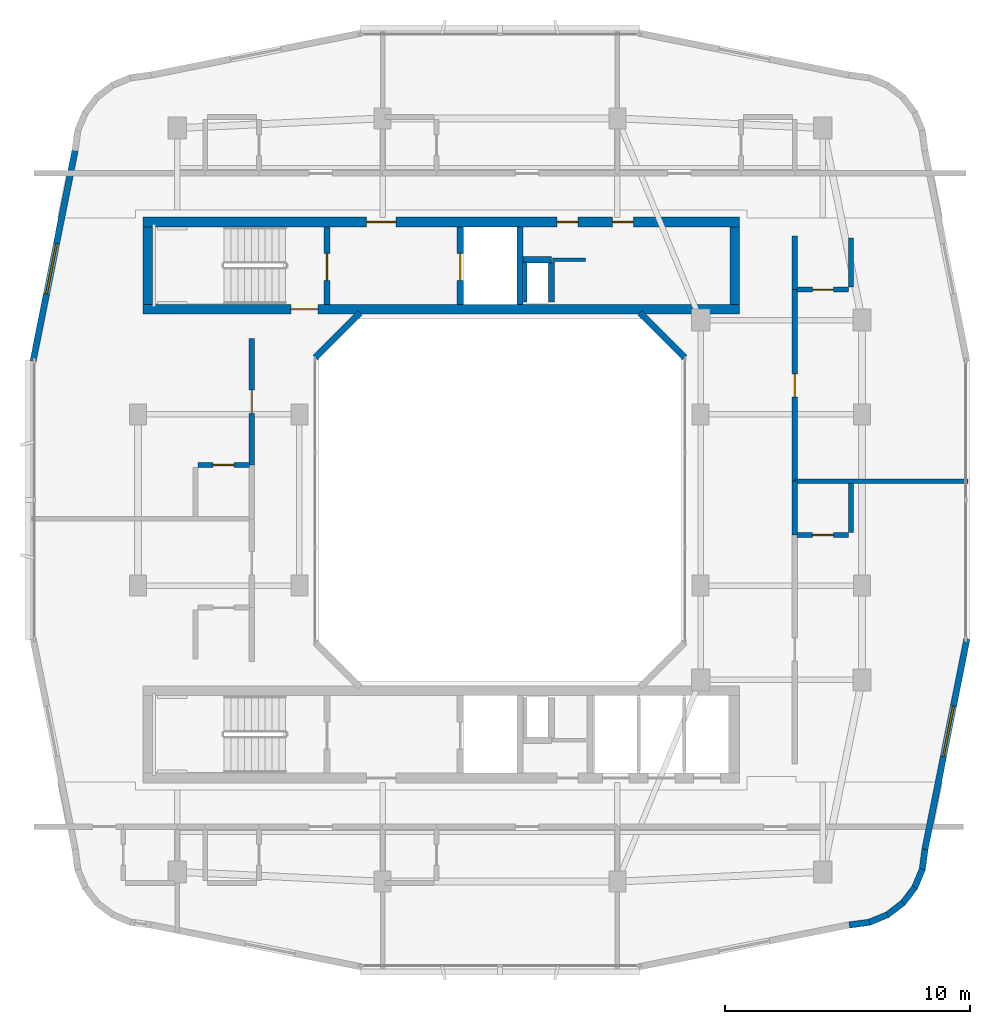
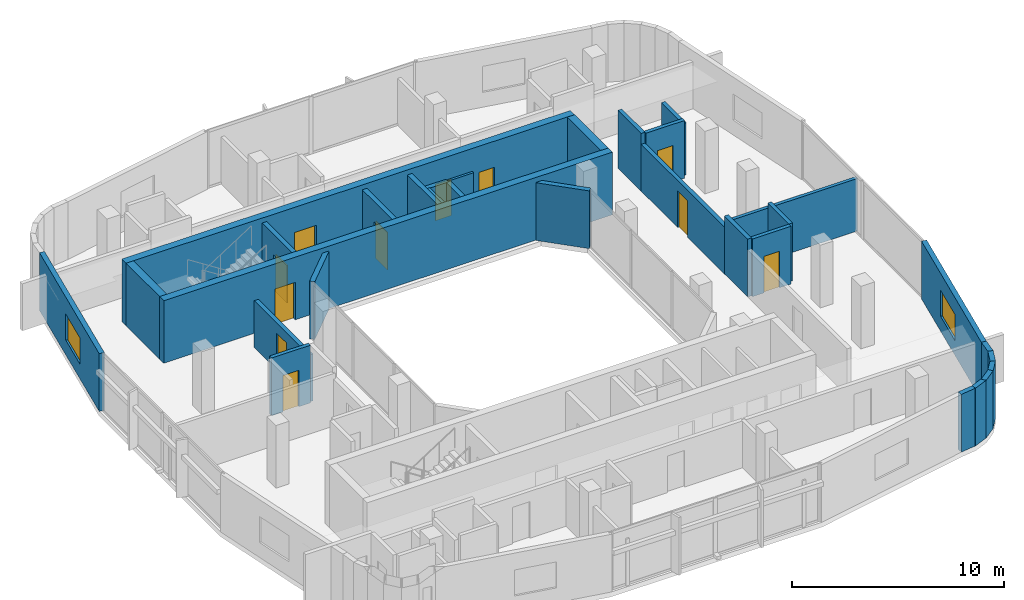
# One storey, part 8 of 14: 31 walls, 11 doors, 2 windows, 13 openings.
"""IFC4 building model written with IfcOpenShell, lengths in metres."""

from ifc_helpers import new_model, si_unit, derived_unit, direction, frame, frame_2d, origin, place, context, subcontext, project, spatial, rectangle, extrude, material, layer, layer_set, type_object, element, fill, save


model = new_model("IFC4")

# Units and contexts
model_context = context("Model", 3, precision=1e-05, world=origin(), true_north=direction((0.0, 1.0)))
body_context = subcontext(model_context, "Body", "Model", "MODEL_VIEW")
ifc_project = project(units=[si_unit("LENGTHUNIT", "METRE"), si_unit("AREAUNIT", "SQUARE_METRE"), si_unit("VOLUMEUNIT", "CUBIC_METRE"), si_unit("PLANEANGLEUNIT", "RADIAN"), si_unit("MASSUNIT", "GRAM", prefix="KILO"), derived_unit("THERMALTRANSMITTANCEUNIT", [(si_unit("POWERUNIT", "WATT"), 1), (si_unit("LENGTHUNIT", "METRE"), -2), (si_unit("THERMODYNAMICTEMPERATUREUNIT", "KELVIN"), -1)])], contexts=[model_context])

# Site, building, storey
site_placement = place(None, origin())
site = spatial("IfcSite", under=ifc_project, at=site_placement, CompositionType="ELEMENT")
building_placement = place(site_placement, origin())
building = spatial("IfcBuilding", under=site, at=building_placement, Name="Kivonza Crest Hotel", CompositionType="ELEMENT")
storey_placement = place(building_placement, frame((0.0, 0.0, 217.10009765625)))
storey = spatial("IfcBuildingStorey", under=building, at=storey_placement, Name="L59", CompositionType="ELEMENT", Elevation=217.10009765625)

# Wall
ifc_material_1 = material(Name="High-density acoustic masonry inter-tenancy wall", Category="masonry")
ifc_layer_1 = layer(ifc_material_1, 0.179931640625)
ifc_layer_set_1 = layer_set([ifc_layer_1], Name="High-density acoustic masonry inter-tenancy wall")
wall_type_1 = type_object("IfcWallType", Name="WL-ACOU-180", PredefinedType="SOLIDWALL", material=ifc_layer_set_1)
wall_1_placement = place(storey_placement, frame((33.050048828125, 25.77001953125, 0.0), z_axis=(0.0, 0.0, 1.0), x_axis=(1.0, 0.0, 0.0)))
element("IfcWall", 1, at=wall_1_placement, inside=storey, type_object=wall_type_1, Name="L59 interior partition WA-L59-T1E-DIV1", PredefinedType="SOLIDWALL", context=body_context, shape_type="SweptSolid", body=[
    extrude(rectangle(XDim=7.08984375, YDim=0.179931640625, at=frame_2d((3.544921875, 0.0))), origin(), (0.0, 0.0, 1.0), 3.014892578125),
])

# Wall, opening, door
ifc_material_2 = material(Name="Autoclaved aerated concrete blockwork", Category="masonry")
ifc_layer_2 = layer(ifc_material_2, 0.219970703125)
ifc_layer_set_2 = layer_set([ifc_layer_2], Name="Autoclaved aerated concrete blockwork")
wall_type_2 = type_object("IfcWallType", Name="WL-ACOU-220", PredefinedType="SOLIDWALL", material=ifc_layer_set_2)
wall_2_placement = place(storey_placement, frame((10.85009765625, 26.429931640625, 0.0), z_axis=(0.0, 0.0, 1.0), x_axis=(0.0, 1.0, 0.0)))
wall_2 = element("IfcWall", 2, at=wall_2_placement, inside=storey, type_object=wall_type_2, Name="L59 interior partition WA-L59-W08-MCORR", PredefinedType="SOLIDWALL", context=body_context, shape_type="SweptSolid", body=[
    extrude(rectangle(XDim=5.170166015625, YDim=0.219970703125, at=frame_2d((2.5849609375, 0.0))), origin(), (0.0, 0.0, 1.0), 2.69482421875),
])
opening_1_placement = place(wall_2_placement, frame((2.110107421875, 0.0, 0.0)))
opening_1 = element("IfcOpeningElement", 3, at=opening_1_placement, cuts=wall_2, Name="Opening DU-60", PredefinedType="OPENING", context=body_context, shape_type="SweptSolid", body=[
    extrude(rectangle(XDim=0.949951171875, YDim=2.10009765625, at=frame_2d((0.47509765625, 1.050048828125))), frame((0.0, 0.1201171875, 0.0), z_axis=(0.0, -1.0, 0.0), x_axis=(1.0, 0.0, 0.0)), (0.0, 0.0, 1.0), 0.239990234375),
])
ifc_material_3 = material(Name="Hardwood timber oak", Category="wood")
door_type_1 = type_object("IfcDoorType", Name="DR-UNIT-950", OperationType="NOTDEFINED", PredefinedType="DOOR", material=ifc_material_3)
door_1_placement = place(opening_1_placement, origin())
door_1 = element("IfcDoor", 4, at=door_1_placement, inside=storey, type_object=door_type_1, Name="L59 W08 guest unit entrance fire door", OperationType="SINGLE_SWING_RIGHT", OverallHeight=2.10009765625, OverallWidth=0.949951171875, PredefinedType="DOOR", context=body_context, shape_type="SweptSolid", body=[
    extrude(rectangle(XDim=0.949951171875, YDim=2.10009765625, at=frame_2d((0.47509765625, 1.050048828125))), frame((0.0, 0.02490234375, 0.0), z_axis=(0.0, -1.0, 0.0), x_axis=(1.0, 0.0, 0.0)), (0.0, 0.0, 1.0), 0.050048828125),
])
fill(opening_1, door_1)

# Walls
for number, where, z_axis, x_axis, name in (
    (5, (33.050048828125, 23.570068359375, 0.0), (0.0, 0.0, 1.0), (0.0, 1.0, 0.0), "L59 interior partition WA-L59-E09-BCORR"),
    (6, (33.050048828125, 33.60009765625, 0.0), (0.0, 0.0, 1.0), (0.0, 1.0, 0.0), "L59 interior partition WA-L59-E10-BCORR"),
):
    element("IfcWall", number, at=place(storey_placement, frame(where, z_axis=z_axis, x_axis=x_axis)), inside=storey, type_object=wall_type_2, Name=name, PredefinedType="SOLIDWALL", context=body_context, shape_type="SweptSolid", body=[
        extrude(rectangle(XDim=2.199951171875, YDim=0.219970703125, at=frame_2d((1.10009765625, 0.0))), origin(), (0.0, 0.0, 1.0), 3.31982421875),
    ])

# Wall, opening, door
wall_3_placement = place(storey_placement, frame((33.050048828125, 25.77001953125, 0.0), z_axis=(0.0, 0.0, 1.0), x_axis=(0.0, 1.0, 0.0)))
wall_3 = element("IfcWall", 7, at=wall_3_placement, inside=storey, type_object=wall_type_2, Name="L59 interior partition WA-L59-E10-MCORR", PredefinedType="SOLIDWALL", context=body_context, shape_type="SweptSolid", body=[
    extrude(rectangle(XDim=7.830078125, YDim=0.219970703125, at=frame_2d((3.9150390625, 0.0))), origin(), (0.0, 0.0, 1.0), 2.69482421875),
])
opening_2_placement = place(wall_3_placement, frame((3.43994140625, 0.0, 0.0)))
opening_2 = element("IfcOpeningElement", 8, at=opening_2_placement, cuts=wall_3, Name="Opening DU-60", PredefinedType="OPENING", context=body_context, shape_type="SweptSolid", body=[
    extrude(rectangle(XDim=0.949951171875, YDim=2.10009765625, at=frame_2d((0.47509765625, 1.050048828125))), frame((0.0, 0.1201171875, 0.0), z_axis=(0.0, -1.0, 0.0), x_axis=(1.0, 0.0, 0.0)), (0.0, 0.0, 1.0), 0.239990234375),
])
door_2_placement = place(opening_2_placement, frame((0.949951171875, 0.0, 0.0), z_axis=(0.0, 0.0, 1.0), x_axis=(-1.0, 0.0, 0.0)))
door_2 = element("IfcDoor", 9, at=door_2_placement, inside=storey, type_object=door_type_1, Name="L59 E10 guest unit entrance fire door", OperationType="SINGLE_SWING_RIGHT", OverallHeight=2.10009765625, OverallWidth=0.949951171875, PredefinedType="DOOR", context=body_context, shape_type="SweptSolid", body=[
    extrude(rectangle(XDim=0.949951171875, YDim=2.10009765625, at=frame_2d((0.47509765625, 1.050048828125))), frame((0.0, 0.02490234375, 0.0), z_axis=(0.0, -1.0, 0.0), x_axis=(1.0, 0.0, 0.0)), (0.0, 0.0, 1.0), 0.050048828125),
])
fill(opening_2, door_2)

ifc_material_4 = material(Name="Concrete C50/60", Category="concrete")
ifc_layer_3 = layer(ifc_material_4, 0.39990234375)
ifc_layer_set_3 = layer_set([ifc_layer_3], Name="Concrete C50/60")
wall_type_3 = type_object("IfcWallType", Name="WL-CORE-400", PredefinedType="SHEAR", material=ifc_layer_set_3)
wall_4_placement = place(storey_placement, frame((6.39990234375, 32.800048828125, 0.0), z_axis=(0.0, 0.0, 1.0), x_axis=(1.0, 0.0, 0.0)))
wall_4 = element("IfcWall", 10, at=wall_4_placement, inside=storey, type_object=wall_type_3, Name="Core wall T1-N South L59", PredefinedType="SHEAR", context=body_context, shape_type="SweptSolid", body=[
    extrude(rectangle(XDim=24.400146484375, YDim=0.39990234375, at=frame_2d((12.2001953125, 0.0))), origin(), (0.0, 0.0, 1.0), 3.599853515625),
])
opening_3_placement = place(wall_4_placement, frame((6.050048828125, 0.0, 0.0)))
opening_3 = element("IfcOpeningElement", 11, at=opening_3_placement, cuts=wall_4, Name="Opening DF-120", PredefinedType="OPENING", context=body_context, shape_type="SweptSolid", body=[
    extrude(rectangle(XDim=1.10009765625, YDim=2.14990234375, at=frame_2d((0.550048828125, 1.074951171875))), frame((0.0, 0.2099609375, 0.0), z_axis=(0.0, -1.0, 0.0), x_axis=(1.0, 0.0, 0.0)), (0.0, 0.0, 1.0), 0.419921875),
])
ifc_material_5 = material(Name="Galvanised steel", Category="steel")
door_type_2 = type_object("IfcDoorType", Name="DR-FD120-1100", OperationType="NOTDEFINED", PredefinedType="DOOR", material=ifc_material_5)
door_3_placement = place(opening_3_placement, origin())
door_3 = element("IfcDoor", 12, at=door_3_placement, inside=storey, type_object=door_type_2, Name="L59 West corridor stair access fire door", OperationType="SINGLE_SWING_LEFT", OverallHeight=2.14990234375, OverallWidth=1.10009765625, PredefinedType="DOOR", context=body_context, shape_type="SweptSolid", body=[
    extrude(rectangle(XDim=1.10009765625, YDim=2.14990234375, at=frame_2d((0.550048828125, 1.074951171875))), frame((0.0, 0.02490234375, 0.0), z_axis=(0.0, -1.0, 0.0), x_axis=(1.0, 0.0, 0.0)), (0.0, 0.0, 1.0), 0.050048828125),
])
fill(opening_3, door_3)

# Wall, openings, doors
wall_5_placement = place(storey_placement, frame((6.39990234375, 36.360107421875, 0.0), z_axis=(0.0, 0.0, 1.0), x_axis=(1.0, 0.0, 0.0)))
wall_5 = element("IfcWall", 13, at=wall_5_placement, inside=storey, type_object=wall_type_3, Name="Core wall T1-N North L59", PredefinedType="SHEAR", context=body_context, shape_type="SweptSolid", body=[
    extrude(rectangle(XDim=24.400146484375, YDim=0.39990234375, at=frame_2d((12.2001953125, 0.0))), origin(), (0.0, 0.0, 1.0), 3.599853515625),
])
opening_4_placement = place(wall_5_placement, frame((9.14990234375, 0.0, 0.0)))
opening_4 = element("IfcOpeningElement", 14, at=opening_4_placement, cuts=wall_5, Name="Opening DF-60", PredefinedType="OPENING", context=body_context, shape_type="SweptSolid", body=[
    extrude(rectangle(XDim=1.199951171875, YDim=2.14990234375, at=frame_2d((0.60009765625, 1.074951171875))), frame((0.0, 0.2099609375, 0.0), z_axis=(0.0, -1.0, 0.0), x_axis=(1.0, 0.0, 0.0)), (0.0, 0.0, 1.0), 0.419921875),
])
opening_5_placement = place(wall_5_placement, frame((19.199951171875, 0.0, 0.0)))
opening_5 = element("IfcOpeningElement", 15, at=opening_5_placement, cuts=wall_5, Name="Opening DF-60R", PredefinedType="OPENING", context=body_context, shape_type="SweptSolid", body=[
    extrude(rectangle(XDim=0.85009765625, YDim=2.10009765625, at=frame_2d((0.425048828125, 1.050048828125))), frame((0.0, 0.2099609375, 0.0), z_axis=(0.0, -1.0, 0.0), x_axis=(1.0, 0.0, 0.0)), (0.0, 0.0, 1.0), 0.419921875),
])
opening_6_placement = place(wall_5_placement, frame((16.93994140625, 0.0, 0.0)))
opening_6 = element("IfcOpeningElement", 16, at=opening_6_placement, cuts=wall_5, Name="Opening DF-60R", PredefinedType="OPENING", context=body_context, shape_type="SweptSolid", body=[
    extrude(rectangle(XDim=0.85009765625, YDim=2.10009765625, at=frame_2d((0.425048828125, 1.050048828125))), frame((0.0, 0.2099609375, 0.0), z_axis=(0.0, -1.0, 0.0), x_axis=(1.0, 0.0, 0.0)), (0.0, 0.0, 1.0), 0.419921875),
])
door_type_3 = type_object("IfcDoorType", Name="DR-FD60-1200", OperationType="NOTDEFINED", PredefinedType="DOOR", material=ifc_material_3)
door_4_placement = place(opening_4_placement, origin())
door_4 = element("IfcDoor", 17, at=door_4_placement, inside=storey, type_object=door_type_3, Name="L59 T1-N firefighting lobby fire door", OperationType="SINGLE_SWING_RIGHT", OverallHeight=2.14990234375, OverallWidth=1.199951171875, PredefinedType="DOOR", context=body_context, shape_type="SweptSolid", body=[
    extrude(rectangle(XDim=1.199951171875, YDim=2.14990234375, at=frame_2d((0.60009765625, 1.074951171875))), frame((0.0, 0.02490234375, 0.0), z_axis=(0.0, -1.0, 0.0), x_axis=(1.0, 0.0, 0.0)), (0.0, 0.0, 1.0), 0.050048828125),
])
fill(opening_4, door_4)
door_type_4 = type_object("IfcDoorType", Name="DR-FD60-850", OperationType="NOTDEFINED", PredefinedType="DOOR", material=ifc_material_3)
door_5_placement = place(opening_5_placement, origin())
door_5 = element("IfcDoor", 18, at=door_5_placement, inside=storey, type_object=door_type_4, Name="L59 T1-N reclaimed core service door", OperationType="SINGLE_SWING_LEFT", OverallHeight=2.10009765625, OverallWidth=0.85009765625, PredefinedType="DOOR", context=body_context, shape_type="SweptSolid", body=[
    extrude(rectangle(XDim=0.85009765625, YDim=2.10009765625, at=frame_2d((0.425048828125, 1.050048828125))), frame((0.0, 0.02490234375, 0.0), z_axis=(0.0, -1.0, 0.0), x_axis=(1.0, 0.0, 0.0)), (0.0, 0.0, 1.0), 0.050048828125),
])
fill(opening_5, door_5)
door_6_placement = place(opening_6_placement, origin())
door_6 = element("IfcDoor", 19, at=door_6_placement, inside=storey, type_object=door_type_4, Name="L59 T1-N core room door", OperationType="SINGLE_SWING_RIGHT", OverallHeight=2.10009765625, OverallWidth=0.85009765625, PredefinedType="DOOR", context=body_context, shape_type="SweptSolid", body=[
    extrude(rectangle(XDim=0.85009765625, YDim=2.10009765625, at=frame_2d((0.425048828125, 1.050048828125))), frame((0.0, 0.02490234375, 0.0), z_axis=(0.0, -1.0, 0.0), x_axis=(1.0, 0.0, 0.0)), (0.0, 0.0, 1.0), 0.050048828125),
])
fill(opening_6, door_6)

# Walls
for number, where, z_axis, x_axis, name in (
    (20, (6.60009765625, 33.0, 0.0), (0.0, 0.0, 1.0), (0.0, 1.0, 0.0), "Core wall T1-N West L59"),
    (21, (30.60009765625, 33.0, 0.0), (0.0, 0.0, 1.0), (0.0, 1.0, 0.0), "Core wall T1-N East L59"),
):
    element("IfcWall", number, at=place(storey_placement, frame(where, z_axis=z_axis, x_axis=x_axis)), inside=storey, type_object=wall_type_3, Name=name, PredefinedType="SHEAR", context=body_context, shape_type="SweptSolid", body=[
        extrude(rectangle(XDim=3.159912109375, YDim=0.39990234375, at=frame_2d((1.580078125, 0.0))), origin(), (0.0, 0.0, 1.0), 3.599853515625),
    ])
ifc_material_6 = material(Name="Precast concrete C40/50", Category="concrete")
ifc_layer_4 = layer(ifc_material_6, 0.260009765625)
ifc_layer_set_4 = layer_set([ifc_layer_4], Name="Precast concrete C40/50")
wall_type_4 = type_object("IfcWallType", Name="WL-EXT-260", PredefinedType="STANDARD", material=ifc_layer_set_4)
wall_6_placement = place(storey_placement, frame((35.27490234375, 7.6279296875, 0.0), z_axis=(0.0, 0.0, 1.0), x_axis=(0.9913883573, 0.130954667764, 0.0)))
element("IfcWall", 22, at=wall_6_placement, inside=storey, type_object=wall_type_4, Name="L59 T1 exterior insulated wall 10", PredefinedType="STANDARD", context=body_context, shape_type="SweptSolid", body=[
    extrude(rectangle(XDim=0.833251953125, YDim=0.260009765625, at=frame_2d((0.41650390625, 0.0))), origin(), (0.0, 0.0, 1.0), 3.31982421875),
])
wall_7_placement = place(storey_placement, frame((36.054931640625, 7.718994140625, 0.0), z_axis=(0.0, 0.0, 1.0), x_axis=(0.923754491172, 0.382985169477, 0.0)))
element("IfcWall", 23, at=wall_7_placement, inside=storey, type_object=wall_type_4, Name="L59 T1 exterior insulated wall 11", PredefinedType="STANDARD", context=body_context, shape_type="SweptSolid", body=[
    extrude(rectangle(XDim=0.85107421875, YDim=0.260009765625, at=frame_2d((0.425537109375, 0.0))), origin(), (0.0, 0.0, 1.0), 3.31982421875),
])
for number, where, z_axis, x_axis, name in (
    (24, (36.801025390625, 8.01708984375, 0.0), (0.0, 0.0, 1.0), (0.793999057278, 0.607918988881, 0.0), "L59 T1 exterior insulated wall 12"),
    (25, (37.445068359375, 8.49609375, 0.0), (0.0, 0.0, 1.0), (0.608057619941, 0.793892896323, 0.0), "L59 T1 exterior insulated wall 13"),
):
    element("IfcWall", number, at=place(storey_placement, frame(where, z_axis=z_axis, x_axis=x_axis)), inside=storey, type_object=wall_type_4, Name=name, PredefinedType="STANDARD", context=body_context, shape_type="SweptSolid", body=[
        extrude(rectangle(XDim=0.85009765625, YDim=0.260009765625, at=frame_2d((0.425048828125, 0.0))), origin(), (0.0, 0.0, 1.0), 3.31982421875),
    ])
wall_8_placement = place(storey_placement, frame((37.94091796875, 9.126953125, 0.0), z_axis=(0.0, 0.0, 1.0), x_axis=(0.383229930484, 0.923652976167, 0.0)))
element("IfcWall", 26, at=wall_8_placement, inside=storey, type_object=wall_type_4, Name="L59 T1 exterior insulated wall 14", PredefinedType="STANDARD", context=body_context, shape_type="SweptSolid", body=[
    extrude(rectangle(XDim=0.85107421875, YDim=0.260009765625, at=frame_2d((0.425537109375, 0.0))), origin(), (0.0, 0.0, 1.0), 3.31982421875),
])
wall_9_placement = place(storey_placement, frame((38.259033203125, 9.864013671875, 0.0), z_axis=(0.0, 0.0, 1.0), x_axis=(0.130156359936, 0.991493480548, 0.0)))
element("IfcWall", 27, at=wall_9_placement, inside=storey, type_object=wall_type_4, Name="L59 T1 exterior insulated wall 15", PredefinedType="STANDARD", context=body_context, shape_type="SweptSolid", body=[
    extrude(rectangle(XDim=0.868408203125, YDim=0.260009765625, at=frame_2d((0.43408203125, 0.0))), origin(), (0.0, 0.0, 1.0), 3.31982421875),
])

# Wall, opening, window
wall_10_placement = place(storey_placement, frame((38.37109375, 10.717041015625, 0.0), z_axis=(0.0, 0.0, 1.0), x_axis=(0.195291715883, 0.980745199176, 0.0)))
wall_10 = element("IfcWall", 28, at=wall_10_placement, inside=storey, type_object=wall_type_4, Name="L59 T1 exterior insulated wall 16", PredefinedType="STANDARD", context=body_context, shape_type="SweptSolid", body=[
    extrude(rectangle(XDim=8.77099609375, YDim=0.260009765625, at=frame_2d((4.385498046875, 0.0))), origin(), (0.0, 0.0, 1.0), 3.31982421875),
])
opening_7_placement = place(wall_10_placement, frame((3.873046875, 0.0, 0.85009765625)))
opening_7 = element("IfcOpeningElement", 29, at=opening_7_placement, cuts=wall_10, Name="Opening WN-04", PredefinedType="OPENING", context=body_context, shape_type="SweptSolid", body=[
    extrude(rectangle(XDim=2.10009765625, YDim=1.5, at=frame_2d((1.050048828125, 0.75))), frame((0.0, 0.14013671875, 0.0), z_axis=(0.0, -1.0, 0.0), x_axis=(1.0, 0.0, 0.0)), (0.0, 0.0, 1.0), 0.280029296875),
])
ifc_material_7 = material(Name="Thermally broken bronze aluminium and low-E double glazing", Category="aluminium")
window_type = type_object("IfcWindowType", Name="WN-210x150", PartitioningType="DOUBLE_PANEL_VERTICAL", PredefinedType="WINDOW", material=ifc_material_7)
window_1_placement = place(opening_7_placement, origin())
window_1 = element("IfcWindow", 30, at=window_1_placement, inside=storey, type_object=window_type, Name="L59 T1 facade window 16", OverallHeight=1.5, OverallWidth=2.10009765625, PartitioningType="SINGLE_PANEL", PredefinedType="WINDOW", context=body_context, shape_type="SweptSolid", body=[
    extrude(rectangle(XDim=2.10009765625, YDim=1.5, at=frame_2d((1.050048828125, 0.75))), frame((0.0, 0.030029296875, 0.0), z_axis=(0.0, -1.0, 0.0), x_axis=(1.0, 0.0, 0.0)), (0.0, 0.0, 1.0), 0.06005859375),
])
fill(opening_7, window_1)

wall_11_placement = place(storey_placement, frame((3.62890625, 39.282958984375, 0.0), z_axis=(0.0, 0.0, 1.0), x_axis=(-0.195291715883, -0.980745199176, 0.0)))
wall_11 = element("IfcWall", 31, at=wall_11_placement, inside=storey, type_object=wall_type_4, Name="L59 T1 exterior insulated wall 34", PredefinedType="STANDARD", context=body_context, shape_type="SweptSolid", body=[
    extrude(rectangle(XDim=8.77099609375, YDim=0.260009765625, at=frame_2d((4.385498046875, 0.0))), origin(), (0.0, 0.0, 1.0), 3.31982421875),
])
opening_8_placement = place(wall_11_placement, frame((3.873046875, 0.0, 0.85009765625)))
opening_8 = element("IfcOpeningElement", 32, at=opening_8_placement, cuts=wall_11, Name="Opening WN-04", PredefinedType="OPENING", context=body_context, shape_type="SweptSolid", body=[
    extrude(rectangle(XDim=2.10009765625, YDim=1.5, at=frame_2d((1.050048828125, 0.75))), frame((0.0, 0.14013671875, 0.0), z_axis=(0.0, -1.0, 0.0), x_axis=(1.0, 0.0, 0.0)), (0.0, 0.0, 1.0), 0.280029296875),
])
window_2_placement = place(opening_8_placement, origin())
window_2 = element("IfcWindow", 33, at=window_2_placement, inside=storey, type_object=window_type, Name="L59 T1 facade window 34", OverallHeight=1.5, OverallWidth=2.10009765625, PartitioningType="SINGLE_PANEL", PredefinedType="WINDOW", context=body_context, shape_type="SweptSolid", body=[
    extrude(rectangle(XDim=2.10009765625, YDim=1.5, at=frame_2d((1.050048828125, 0.75))), frame((0.0, 0.030029296875, 0.0), z_axis=(0.0, -1.0, 0.0), x_axis=(1.0, 0.0, 0.0)), (0.0, 0.0, 1.0), 0.06005859375),
])
fill(opening_8, window_2)

# Walls
for number, where, z_axis, x_axis, name in (
    (34, (28.555908203125, 30.827880859375, 0.0), (0.0, 0.0, 1.0), (-0.707059717605, 0.707153841636, 0.0), "L59 T1 light-well exterior wall 4"),
    (35, (15.278076171875, 32.662109375, 0.0), (0.0, 0.0, 1.0), (-0.707059717605, -0.707153841636, 0.0), "L59 T1 light-well exterior wall 6"),
):
    element("IfcWall", number, at=place(storey_placement, frame(where, z_axis=z_axis, x_axis=x_axis)), inside=storey, type_object=wall_type_4, Name=name, PredefinedType="STANDARD", context=body_context, shape_type="SweptSolid", body=[
        extrude(rectangle(XDim=2.59375, YDim=0.260009765625, at=frame_2d((1.296875, 0.0))), origin(), (0.0, 0.0, 1.0), 3.31982421875),
    ])
ifc_material_8 = material(Name="Concrete blockwork fire-compartment wall", Category="masonry")
ifc_layer_5 = layer(ifc_material_8, 0.25)
ifc_layer_set_5 = layer_set([ifc_layer_5], Name="Concrete blockwork fire-compartment wall")
wall_type_5 = type_object("IfcWallType", Name="WL-FIRE-250", PredefinedType="SOLIDWALL", material=ifc_layer_set_5)
wall_12_placement = place(storey_placement, frame((23.10009765625, 33.10009765625, 0.0), z_axis=(0.0, 0.0, 1.0), x_axis=(0.0, 1.0, 0.0)))
element("IfcWall", 36, at=wall_12_placement, inside=storey, type_object=wall_type_5, Name="L59 interior partition WA-L59-T1-N-MEPR-E", PredefinedType="SOLIDWALL", context=body_context, shape_type="SweptSolid", body=[
    extrude(rectangle(XDim=1.619873046875, YDim=0.25, at=frame_2d((0.81005859375, 0.0))), origin(), (0.0, 0.0, 1.0), 3.31982421875),
])
wall_13_placement = place(storey_placement, frame((21.949951171875, 34.820068359375, 0.0), z_axis=(0.0, 0.0, 1.0), x_axis=(1.0, 0.0, 0.0)))
element("IfcWall", 37, at=wall_13_placement, inside=storey, type_object=wall_type_5, Name="L59 interior partition WA-L59-T1-N-MEPR-H", PredefinedType="SOLIDWALL", context=body_context, shape_type="SweptSolid", body=[
    extrude(rectangle(XDim=1.150146484375, YDim=0.25, at=frame_2d((0.5751953125, 0.0))), origin(), (0.0, 0.0, 1.0), 3.31982421875),
])
ifc_material_9 = material(Name="Metal-stud gypsum board partition", Category="gypsum")
ifc_layer_6 = layer(ifc_material_9, 0.125)
ifc_layer_set_6 = layer_set([ifc_layer_6], Name="Metal-stud gypsum board partition")
wall_type_6 = type_object("IfcWallType", Name="WL-PART-125", PredefinedType="PARTITIONING", material=ifc_layer_set_6)
wall_14_placement = place(storey_placement, frame((23.14990234375, 34.820068359375, 0.0), z_axis=(0.0, 0.0, 1.0), x_axis=(1.0, 0.0, 0.0)))
element("IfcWall", 38, at=wall_14_placement, inside=storey, type_object=wall_type_6, Name="L59 interior partition WP-L59-T1-N-SV2H", PredefinedType="PARTITIONING", context=body_context, shape_type="SweptSolid", body=[
    extrude(rectangle(XDim=1.35009765625, YDim=0.125, at=frame_2d((0.675048828125, 0.0))), origin(), (0.0, 0.0, 1.0), 3.31982421875),
])
ifc_material_10 = material(Name="Twin-stud acoustic gypsum board partition", Category="gypsum")
ifc_layer_7 = layer(ifc_material_10, 0.14990234375)
ifc_layer_set_7 = layer_set([ifc_layer_7], Name="Twin-stud acoustic gypsum board partition")
wall_type_7 = type_object("IfcWallType", Name="WL-PART-150", PredefinedType="PARTITIONING", material=ifc_layer_set_7)
wall_15_placement = place(storey_placement, frame((22.030029296875, 33.10009765625, 0.0), z_axis=(0.0, 0.0, 1.0), x_axis=(0.0, 1.0, 0.0)))
element("IfcWall", 39, at=wall_15_placement, inside=storey, type_object=wall_type_7, Name="L59 interior partition WA-L59-T1-N-MEPR-W", PredefinedType="PARTITIONING", context=body_context, shape_type="SweptSolid", body=[
    extrude(rectangle(XDim=1.619873046875, YDim=0.14990234375, at=frame_2d((0.81005859375, 0.0))), origin(), (0.0, 0.0, 1.0), 3.31982421875),
])

# Wall, opening, door
ifc_material_11 = material(Name="Moisture-resistant plumbing chase partition wall", Category="gypsum")
ifc_layer_8 = layer(ifc_material_11, 0.199951171875)
ifc_layer_set_8 = layer_set([ifc_layer_8], Name="Moisture-resistant plumbing chase partition wall")
wall_type_8 = type_object("IfcWallType", Name="WL-PLUMB-200", PredefinedType="PLUMBINGWALL", material=ifc_layer_set_8)
wall_16_placement = place(storey_placement, frame((8.64990234375, 26.429931640625, 0.0), z_axis=(0.0, 0.0, 1.0), x_axis=(1.0, 0.0, 0.0)))
wall_16 = element("IfcWall", 40, at=wall_16_placement, inside=storey, type_object=wall_type_8, Name="L59 interior partition WW-L59-W08-BH", PredefinedType="PLUMBINGWALL", context=body_context, shape_type="SweptSolid", body=[
    extrude(rectangle(XDim=2.10009765625, YDim=0.199951171875, at=frame_2d((1.050048828125, 0.0))), origin(), (0.0, 0.0, 1.0), 3.31982421875),
])
opening_9_placement = place(wall_16_placement, frame((0.625, 0.0, 0.0)))
opening_9 = element("IfcOpeningElement", 41, at=opening_9_placement, cuts=wall_16, Name="Opening DI-85", PredefinedType="OPENING", context=body_context, shape_type="SweptSolid", body=[
    extrude(rectangle(XDim=0.85009765625, YDim=2.10009765625, at=frame_2d((0.425048828125, 1.050048828125))), frame((0.0, 0.10986328125, 0.0), z_axis=(0.0, -1.0, 0.0), x_axis=(1.0, 0.0, 0.0)), (0.0, 0.0, 1.0), 0.219970703125),
])
door_type_5 = type_object("IfcDoorType", Name="DR-INT-850", OperationType="NOTDEFINED", PredefinedType="DOOR", material=ifc_material_3)
door_7_placement = place(opening_9_placement, origin())
door_7 = element("IfcDoor", 42, at=door_7_placement, inside=storey, type_object=door_type_5, Name="L59 W08 en-suite bathroom door", OperationType="SINGLE_SWING_LEFT", OverallHeight=2.10009765625, OverallWidth=0.85009765625, PredefinedType="DOOR", context=body_context, shape_type="SweptSolid", body=[
    extrude(rectangle(XDim=0.85009765625, YDim=2.10009765625, at=frame_2d((0.425048828125, 1.050048828125))), frame((0.0, 0.02490234375, 0.0), z_axis=(0.0, -1.0, 0.0), x_axis=(1.0, 0.0, 0.0)), (0.0, 0.0, 1.0), 0.050048828125),
])
fill(opening_9, door_7)

wall_17_placement = place(storey_placement, frame((33.14990234375, 23.570068359375, 0.0), z_axis=(0.0, 0.0, 1.0), x_axis=(1.0, 0.0, 0.0)))
wall_17 = element("IfcWall", 43, at=wall_17_placement, inside=storey, type_object=wall_type_8, Name="L59 interior partition WW-L59-E09-BH", PredefinedType="PLUMBINGWALL", context=body_context, shape_type="SweptSolid", body=[
    extrude(rectangle(XDim=2.10009765625, YDim=0.199951171875, at=frame_2d((1.050048828125, 0.0))), origin(), (0.0, 0.0, 1.0), 3.31982421875),
])
opening_10_placement = place(wall_17_placement, frame((0.625, 0.0, 0.0)))
opening_10 = element("IfcOpeningElement", 44, at=opening_10_placement, cuts=wall_17, Name="Opening DI-85", PredefinedType="OPENING", context=body_context, shape_type="SweptSolid", body=[
    extrude(rectangle(XDim=0.85009765625, YDim=2.10009765625, at=frame_2d((0.425048828125, 1.050048828125))), frame((0.0, 0.10986328125, 0.0), z_axis=(0.0, -1.0, 0.0), x_axis=(1.0, 0.0, 0.0)), (0.0, 0.0, 1.0), 0.219970703125),
])
door_8_placement = place(opening_10_placement, frame((0.85009765625, 0.0, 0.0), z_axis=(0.0, 0.0, 1.0), x_axis=(-1.0, 0.0, 0.0)))
door_8 = element("IfcDoor", 45, at=door_8_placement, inside=storey, type_object=door_type_5, Name="L59 E09 en-suite bathroom door", OperationType="SINGLE_SWING_RIGHT", OverallHeight=2.10009765625, OverallWidth=0.85009765625, PredefinedType="DOOR", context=body_context, shape_type="SweptSolid", body=[
    extrude(rectangle(XDim=0.85009765625, YDim=2.10009765625, at=frame_2d((0.425048828125, 1.050048828125))), frame((0.0, 0.02490234375, 0.0), z_axis=(0.0, -1.0, 0.0), x_axis=(1.0, 0.0, 0.0)), (0.0, 0.0, 1.0), 0.050048828125),
])
fill(opening_10, door_8)

# Wall
wall_18_placement = place(storey_placement, frame((35.35009765625, 23.669921875, 0.0), z_axis=(0.0, 0.0, 1.0), x_axis=(0.0, 1.0, 0.0)))
element("IfcWall", 46, at=wall_18_placement, inside=storey, type_object=wall_type_8, Name="L59 interior partition WW-L59-E09-BV", PredefinedType="PLUMBINGWALL", context=body_context, shape_type="SweptSolid", body=[
    extrude(rectangle(XDim=2.0, YDim=0.199951171875, at=frame_2d((1.0, 0.0))), origin(), (0.0, 0.0, 1.0), 3.31982421875),
])

# Wall, opening, door
wall_19_placement = place(storey_placement, frame((33.14990234375, 33.60009765625, 0.0), z_axis=(0.0, 0.0, 1.0), x_axis=(1.0, 0.0, 0.0)))
wall_19 = element("IfcWall", 47, at=wall_19_placement, inside=storey, type_object=wall_type_8, Name="L59 interior partition WW-L59-E10-BH", PredefinedType="PLUMBINGWALL", context=body_context, shape_type="SweptSolid", body=[
    extrude(rectangle(XDim=2.10009765625, YDim=0.199951171875, at=frame_2d((1.050048828125, 0.0))), origin(), (0.0, 0.0, 1.0), 3.31982421875),
])
opening_11_placement = place(wall_19_placement, frame((0.625, 0.0, 0.0)))
opening_11 = element("IfcOpeningElement", 48, at=opening_11_placement, cuts=wall_19, Name="Opening DI-85", PredefinedType="OPENING", context=body_context, shape_type="SweptSolid", body=[
    extrude(rectangle(XDim=0.85009765625, YDim=2.10009765625, at=frame_2d((0.425048828125, 1.050048828125))), frame((0.0, 0.10986328125, 0.0), z_axis=(0.0, -1.0, 0.0), x_axis=(1.0, 0.0, 0.0)), (0.0, 0.0, 1.0), 0.219970703125),
])
door_9_placement = place(opening_11_placement, frame((0.85009765625, 0.0, 0.0), z_axis=(0.0, 0.0, 1.0), x_axis=(-1.0, 0.0, 0.0)))
door_9 = element("IfcDoor", 49, at=door_9_placement, inside=storey, type_object=door_type_5, Name="L59 E10 en-suite bathroom door", OperationType="SINGLE_SWING_LEFT", OverallHeight=2.10009765625, OverallWidth=0.85009765625, PredefinedType="DOOR", context=body_context, shape_type="SweptSolid", body=[
    extrude(rectangle(XDim=0.85009765625, YDim=2.10009765625, at=frame_2d((0.425048828125, 1.050048828125))), frame((0.0, 0.02490234375, 0.0), z_axis=(0.0, -1.0, 0.0), x_axis=(1.0, 0.0, 0.0)), (0.0, 0.0, 1.0), 0.050048828125),
])
fill(opening_11, door_9)

# Wall
wall_20_placement = place(storey_placement, frame((35.35009765625, 33.699951171875, 0.0), z_axis=(0.0, 0.0, 1.0), x_axis=(0.0, 1.0, 0.0)))
element("IfcWall", 50, at=wall_20_placement, inside=storey, type_object=wall_type_8, Name="L59 interior partition WW-L59-E10-BV", PredefinedType="PLUMBINGWALL", context=body_context, shape_type="SweptSolid", body=[
    extrude(rectangle(XDim=2.0, YDim=0.199951171875, at=frame_2d((1.0, 0.0))), origin(), (0.0, 0.0, 1.0), 3.014892578125),
])

# Wall, opening, door
ifc_layer_9 = layer(ifc_material_4, 0.25)
ifc_layer_set_9 = layer_set([ifc_layer_9], Name="Concrete C50/60")
wall_type_9 = type_object("IfcWallType", Name="WL-SHAFT-250", PredefinedType="STANDARD", material=ifc_layer_set_9)
wall_21_placement = place(storey_placement, frame((13.925048828125, 33.0, 0.0), z_axis=(0.0, 0.0, 1.0), x_axis=(0.0, 1.0, 0.0)))
wall_21 = element("IfcWall", 51, at=wall_21_placement, inside=storey, type_object=wall_type_9, Name="Core shaft wall T1-N STAIR L59", PredefinedType="STANDARD", context=body_context, shape_type="SweptSolid", body=[
    extrude(rectangle(XDim=3.159912109375, YDim=0.25, at=frame_2d((1.580078125, 0.0))), origin(), (0.0, 0.0, 1.0), 3.31982421875),
])
opening_12_placement = place(wall_21_placement, frame((0.97998046875, 0.0, 0.0)))
opening_12 = element("IfcOpeningElement", 52, at=opening_12_placement, cuts=wall_21, Name="Opening DF-120", PredefinedType="OPENING", context=body_context, shape_type="SweptSolid", body=[
    extrude(rectangle(XDim=1.10009765625, YDim=2.14990234375, at=frame_2d((0.550048828125, 1.074951171875))), frame((0.0, 0.135009765625, 0.0), z_axis=(0.0, -1.0, 0.0), x_axis=(1.0, 0.0, 0.0)), (0.0, 0.0, 1.0), 0.27001953125),
])
door_10_placement = place(opening_12_placement, frame((1.10009765625, 0.0, 0.0), z_axis=(0.0, 0.0, 1.0), x_axis=(-1.0, 0.0, 0.0)))
door_10 = element("IfcDoor", 53, at=door_10_placement, inside=storey, type_object=door_type_2, Name="L59 T1-N stair fire door", OperationType="SINGLE_SWING_LEFT", OverallHeight=2.14990234375, OverallWidth=1.10009765625, PredefinedType="DOOR", context=body_context, shape_type="SweptSolid", body=[
    extrude(rectangle(XDim=1.10009765625, YDim=2.14990234375, at=frame_2d((0.550048828125, 1.074951171875))), frame((0.0, 0.02490234375, 0.0), z_axis=(0.0, -1.0, 0.0), x_axis=(1.0, 0.0, 0.0)), (0.0, 0.0, 1.0), 0.050048828125),
])
fill(opening_12, door_10)

wall_22_placement = place(storey_placement, frame((19.375, 33.0, 0.0), z_axis=(0.0, 0.0, 1.0), x_axis=(0.0, 1.0, 0.0)))
wall_22 = element("IfcWall", 54, at=wall_22_placement, inside=storey, type_object=wall_type_9, Name="Core shaft wall T1-N FFL-W L59", PredefinedType="STANDARD", context=body_context, shape_type="SweptSolid", body=[
    extrude(rectangle(XDim=3.159912109375, YDim=0.25, at=frame_2d((1.580078125, 0.0))), origin(), (0.0, 0.0, 1.0), 3.31982421875),
])
opening_13_placement = place(wall_22_placement, frame((0.97998046875, 0.0, 0.0)))
opening_13 = element("IfcOpeningElement", 55, at=opening_13_placement, cuts=wall_22, Name="Opening LD-120", PredefinedType="OPENING", context=body_context, shape_type="SweptSolid", body=[
    extrude(rectangle(XDim=1.10009765625, YDim=2.14990234375, at=frame_2d((0.550048828125, 1.074951171875))), frame((0.0, 0.135009765625, 0.0), z_axis=(0.0, -1.0, 0.0), x_axis=(1.0, 0.0, 0.0)), (0.0, 0.0, 1.0), 0.27001953125),
])
ifc_material_12 = material(Name="Stainless steel", Category="steel")
door_type_6 = type_object("IfcDoorType", Name="DR-LD120-1100", OperationType="NOTDEFINED", PredefinedType="DOOR", material=ifc_material_12)
door_11_placement = place(opening_13_placement, origin())
door_11 = element("IfcDoor", 56, at=door_11_placement, inside=storey, type_object=door_type_6, Name="L59 FFL-T1-N firefighting lift sliding landing door", OperationType="DOUBLE_DOOR_SLIDING", OverallHeight=2.14990234375, OverallWidth=1.10009765625, PredefinedType="DOOR", context=body_context, shape_type="SweptSolid", body=[
    extrude(rectangle(XDim=1.10009765625, YDim=2.14990234375, at=frame_2d((0.550048828125, 1.074951171875))), frame((0.0, 0.02490234375, 0.0), z_axis=(0.0, -1.0, 0.0), x_axis=(1.0, 0.0, 0.0)), (0.0, 0.0, 1.0), 0.050048828125),
])
fill(opening_13, door_11)

# Wall
wall_23_placement = place(storey_placement, frame((21.824951171875, 33.0, 0.0), z_axis=(0.0, 0.0, 1.0), x_axis=(0.0, 1.0, 0.0)))
element("IfcWall", 57, at=wall_23_placement, inside=storey, type_object=wall_type_9, Name="Core shaft wall T1-N FFL-E L59", PredefinedType="STANDARD", context=body_context, shape_type="SweptSolid", body=[
    extrude(rectangle(XDim=3.159912109375, YDim=0.25, at=frame_2d((1.580078125, 0.0))), origin(), (0.0, 0.0, 1.0), 3.31982421875),
])

save(model, "model.ifc")
